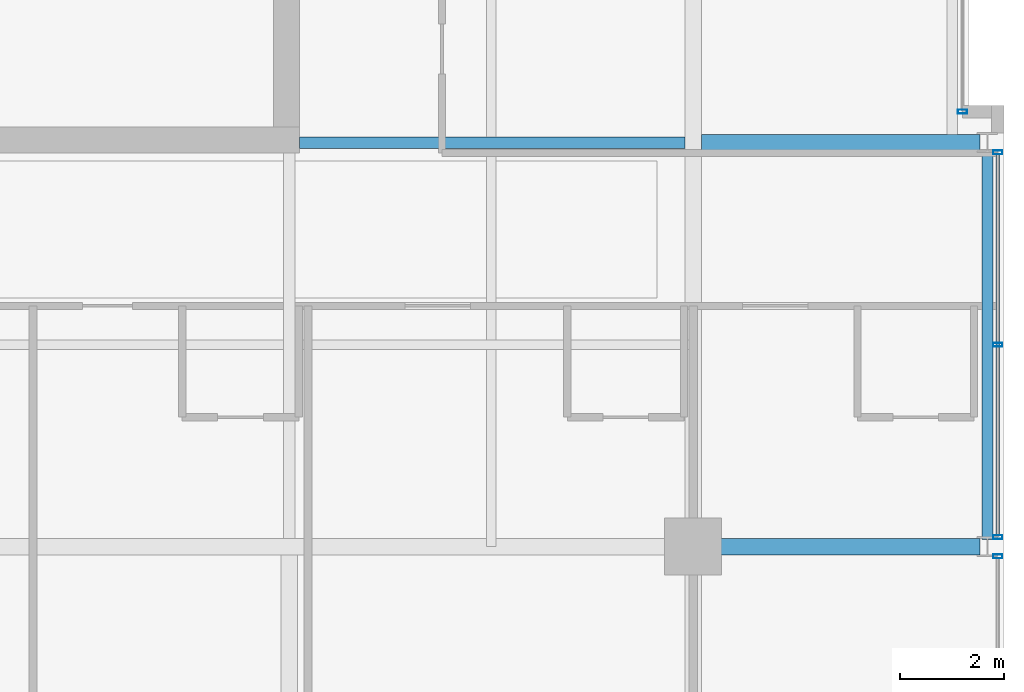
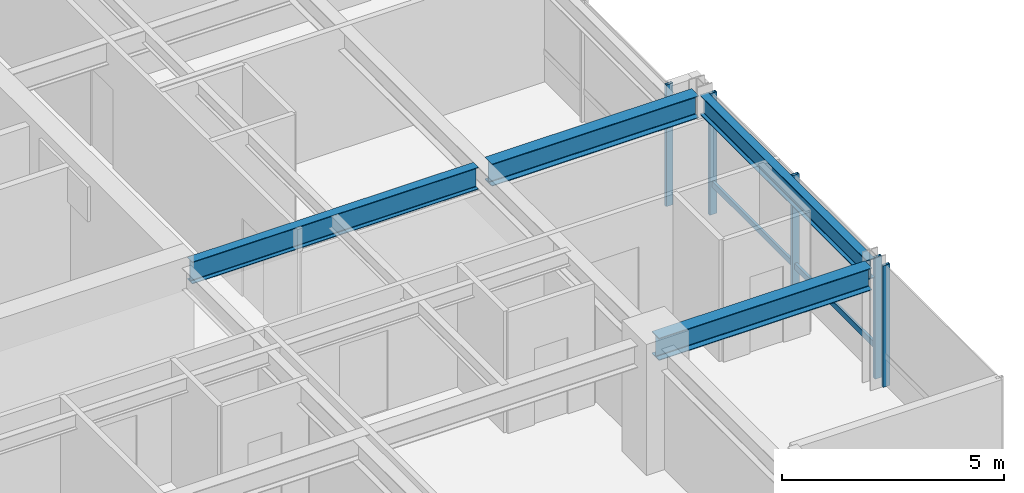
# One storey, part 13 of 32: 6 members, 4 beams, 3 elements without a shape of their own.
"""IFC4 building model written with IfcOpenShell, lengths in metres."""

from ifc_helpers import new_model, si_unit, direction, frame, origin, origin_2d, place, context, subcontext, project, spatial, hollow_rectangle, i_section, extrude, material, layer, layer_set, material_profile, profile_set, type_object, element, aggregate, save


model = new_model("IFC4")

# Units and contexts
model_context = context("Model", 3, precision=1e-05, world=origin(), true_north=direction((0.0, 1.0)))
body_context = subcontext(model_context, "Body", "Model", "MODEL_VIEW")
ifc_project = project(units=[si_unit("LENGTHUNIT", "METRE"), si_unit("AREAUNIT", "SQUARE_METRE"), si_unit("VOLUMEUNIT", "CUBIC_METRE"), si_unit("PLANEANGLEUNIT", "RADIAN"), si_unit("MASSUNIT", "GRAM", prefix="KILO")], contexts=[model_context])

# Site, building, storey
site_placement = place(None, origin())
site = spatial("IfcSite", under=ifc_project, at=site_placement, CompositionType="ELEMENT")
building_placement = place(site_placement, origin())
building = spatial("IfcBuilding", under=site, at=building_placement, Name="Drelvath Grand Hotel", CompositionType="ELEMENT")
storey_placement = place(building_placement, frame((0.0, 0.0, 226.699951171875)))
storey = spatial("IfcBuildingStorey", under=building, at=storey_placement, Name="L59", CompositionType="ELEMENT", Elevation=226.699951171875)

# Curtain wall, member
ifc_material_1 = material(Name="Platinum-Mist Anodised Aluminium Frame", Category="aluminium")
ifc_layer = layer(ifc_material_1, 0.199951171875)
ifc_layer_set = layer_set([ifc_layer], Name="Platinum-Mist Anodised Aluminium Frame")
curtain_wall_type = type_object("IfcCurtainWallType", Name="Stick Curtain Wall CW-05 Platinum Mist High-Rise", PredefinedType="NOTDEFINED", material=ifc_layer_set)
curtain_wall_1_placement = place(storey_placement, origin())
curtain_wall_1 = element("IfcCurtainWall", 1, at=curtain_wall_1_placement, inside=storey, type_object=curtain_wall_type, Name="L59 CW-05 Curtain Wall CW05-L59-ES2", PredefinedType="NOTDEFINED")
ifc_material_profile_1 = material_profile(ifc_material_1, hollow_rectangle(XDim=0.06494140625, YDim=0.159912109375, WallThickness=0.00390625, at=origin_2d()), Name="HSS160X65X4")
ifc_profile_set_1 = profile_set([ifc_material_profile_1], Name="Platinum-Mist Anodised Aluminium Frame")
member_type_1 = type_object("IfcMemberType", Name="Curtain Wall Horizontal Transom CW-05 HSS160X65X4", PredefinedType="USERDEFINED", material=ifc_profile_set_1)
member_1_placement = place(storey_placement, frame((22.080078125, 18.374755859375, 0.8349609375), z_axis=(0.0, -1.0, 0.0), x_axis=(1.0, 0.0, 0.0)))
member_1 = element("IfcMember", 2, at=member_1_placement, type_object=member_type_1, Name="CW05-L59-ES2 Sill Transom", ObjectType="TRANSOM", PredefinedType="USERDEFINED", context=body_context, shape_type="SweptSolid", body=[
    extrude(hollow_rectangle(XDim=0.06494140625, YDim=0.159912109375, WallThickness=0.00390625, at=origin_2d()), origin(), (0.0, 0.0, 1.0), 7.349365234375),
])

curtain_wall_2_placement = place(storey_placement, origin())
curtain_wall_2 = element("IfcCurtainWall", 3, at=curtain_wall_2_placement, inside=storey, type_object=curtain_wall_type, Name="L59 CW-05 Curtain Wall CW05-L59-EM1", PredefinedType="NOTDEFINED")
ifc_material_profile_2 = material_profile(ifc_material_1, hollow_rectangle(XDim=0.074951171875, YDim=0.179931640625, WallThickness=0.0048828125, at=origin_2d()), Name="HSS180X75X5")
ifc_profile_set_2 = profile_set([ifc_material_profile_2], Name="Platinum-Mist Anodised Aluminium Frame")
member_type_2 = type_object("IfcMemberType", Name="Curtain Wall Vertical Mullion CW-05 HSS180X75X5", PredefinedType="MULLION", material=ifc_profile_set_2)
member_2_placement = place(storey_placement, frame((21.39990234375, 19.199951171875, 0.0), z_axis=(0.0, 0.0, 1.0), x_axis=(0.0, 1.0, 0.0)))
member_2 = element("IfcMember", 4, at=member_2_placement, type_object=member_type_2, Name="CW05-L59-EM1 Mullion 3", PredefinedType="MULLION", context=body_context, shape_type="SweptSolid", body=[
    extrude(hollow_rectangle(XDim=0.074951171875, YDim=0.179931640625, WallThickness=0.0048828125, at=origin_2d()), origin(), (0.0, 0.0, 1.0), 3.340087890625),
])
aggregate(curtain_wall_2, [member_2])

curtain_wall_3_placement = place(storey_placement, origin())
curtain_wall_3 = element("IfcCurtainWall", 5, at=curtain_wall_3_placement, inside=storey, type_object=curtain_wall_type, Name="L59 CW-05 Curtain Wall CW05-L59-ES1", PredefinedType="NOTDEFINED")
member_3_placement = place(storey_placement, frame((22.080078125, 10.61474609375, 0.0), z_axis=(0.0, 0.0, 1.0), x_axis=(0.0, 1.0, 0.0)))
member_3 = element("IfcMember", 6, at=member_3_placement, type_object=member_type_2, Name="CW05-L59-ES1 Mullion 1", PredefinedType="MULLION", context=body_context, shape_type="SweptSolid", body=[
    extrude(hollow_rectangle(XDim=0.074951171875, YDim=0.179931640625, WallThickness=0.0048828125, at=origin_2d()), origin(), (0.0, 0.0, 1.0), 3.340087890625),
])
aggregate(curtain_wall_3, [member_3])

# Member
member_4_placement = place(storey_placement, frame((22.080078125, 18.414794921875, 0.0), z_axis=(0.0, 0.0, 1.0), x_axis=(0.0, 1.0, 0.0)))
member_4 = element("IfcMember", 7, at=member_4_placement, type_object=member_type_2, Name="CW05-L59-ES2 Mullion 1", PredefinedType="MULLION", context=body_context, shape_type="SweptSolid", body=[
    extrude(hollow_rectangle(XDim=0.074951171875, YDim=0.179931640625, WallThickness=0.0048828125, at=origin_2d()), origin(), (0.0, 0.0, 1.0), 3.340087890625),
])

member_5_placement = place(storey_placement, frame((22.080078125, 14.699951171875, 0.0), z_axis=(0.0, 0.0, 1.0), x_axis=(0.0, 1.0, 0.0)))
member_5 = element("IfcMember", 8, at=member_5_placement, type_object=member_type_2, Name="CW05-L59-ES2 Mullion 2", PredefinedType="MULLION", context=body_context, shape_type="SweptSolid", body=[
    extrude(hollow_rectangle(XDim=0.074951171875, YDim=0.179931640625, WallThickness=0.0048828125, at=origin_2d()), origin(), (0.0, 0.0, 1.0), 3.340087890625),
])

member_6_placement = place(storey_placement, frame((22.080078125, 10.9853515625, 0.0), z_axis=(0.0, 0.0, 1.0), x_axis=(0.0, 1.0, 0.0)))
member_6 = element("IfcMember", 9, at=member_6_placement, type_object=member_type_2, Name="CW05-L59-ES2 Mullion 3", PredefinedType="MULLION", context=body_context, shape_type="SweptSolid", body=[
    extrude(hollow_rectangle(XDim=0.074951171875, YDim=0.179931640625, WallThickness=0.0048828125, at=origin_2d()), origin(), (0.0, 0.0, 1.0), 3.340087890625),
])

aggregate(curtain_wall_1, [member_4, member_5, member_6, member_1])

# Beams
ifc_material_2 = material(Name="Steel ASTM A992 Gr 50", Category="steel")
ifc_material_profile_3 = material_profile(ifc_material_2, i_section(OverallWidth=0.210205078125, OverallDepth=0.53662109375, WebThickness=0.010986328125, FlangeThickness=0.017333984375, FilletRadius=0.01806640625, at=origin_2d()), Name="W21X68")
ifc_profile_set_3 = profile_set([ifc_material_profile_3], Name="Steel ASTM A992 Gr 50")
beam_type_1 = type_object("IfcBeamType", Name="Perimeter Spandrel Beam W21X68", PredefinedType="SPANDREL", material=ifc_profile_set_3)
beam_1_placement = place(storey_placement, frame((21.8798828125, 10.93994140625, 3.071533203125), z_axis=(0.0, 1.0, 0.0), x_axis=(-1.0, 0.0, 0.0)))
element("IfcBeam", 10, at=beam_1_placement, inside=storey, type_object=beam_type_1, Name="L59 Spandrel East S", PredefinedType="SPANDREL", context=body_context, shape_type="SweptSolid", body=[
    extrude(i_section(OverallWidth=0.210205078125, OverallDepth=0.53662109375, WebThickness=0.010986328125, FlangeThickness=0.017333984375, FilletRadius=0.01806640625, at=origin_2d()), origin(), (0.0, 0.0, 1.0), 7.52001953125),
])
ifc_material_profile_4 = material_profile(ifc_material_2, i_section(OverallWidth=0.323974609375, OverallDepth=0.611083984375, WebThickness=0.0126953125, FlangeThickness=0.01904296875, FilletRadius=0.02197265625, at=origin_2d()), Name="W24X104")
ifc_profile_set_4 = profile_set([ifc_material_profile_4], Name="Steel ASTM A992 Gr 50")
beam_type_2 = type_object("IfcBeamType", Name="Primary Floor Girder W24X104", PredefinedType="BEAM", material=ifc_profile_set_4)
beam_2_placement = place(storey_placement, frame((16.199951171875, 10.800048828125, 3.034423828125), z_axis=(1.0, 0.0, 0.0), x_axis=(0.0, 1.0, 0.0)))
element("IfcBeam", 11, at=beam_2_placement, inside=storey, type_object=beam_type_2, Name="L59 East Grid Girder C", PredefinedType="BEAM", context=body_context, shape_type="SweptSolid", body=[
    extrude(i_section(OverallWidth=0.323974609375, OverallDepth=0.611083984375, WebThickness=0.0126953125, FlangeThickness=0.01904296875, FilletRadius=0.02197265625, at=origin_2d()), origin(), (0.0, 0.0, 1.0), 5.5400390625),
])
beam_3_placement = place(storey_placement, frame((16.362060546875, 18.60009765625, 3.034423828125), z_axis=(1.0, 0.0, 0.0), x_axis=(0.0, 1.0, 0.0)))
element("IfcBeam", 12, at=beam_3_placement, inside=storey, type_object=beam_type_2, Name="L59 East Wing Girder D", PredefinedType="BEAM", context=body_context, shape_type="SweptSolid", body=[
    extrude(i_section(OverallWidth=0.323974609375, OverallDepth=0.611083984375, WebThickness=0.0126953125, FlangeThickness=0.01904296875, FilletRadius=0.02197265625, at=origin_2d()), origin(), (0.0, 0.0, 1.0), 5.3779296875),
])
ifc_material_profile_5 = material_profile(ifc_material_2, i_section(OverallWidth=0.228271484375, OverallDepth=0.607666015625, WebThickness=0.01123046875, FlangeThickness=0.017333984375, FilletRadius=0.02001953125, at=origin_2d()), Name="W24X76")
ifc_profile_set_5 = profile_set([ifc_material_profile_5], Name="Steel ASTM A992 Gr 50")
beam_type_3 = type_object("IfcBeamType", Name="Primary Floor Girder W24X76", PredefinedType="BEAM", material=ifc_profile_set_5)
beam_4_placement = place(storey_placement, frame((8.60009765625, 18.60009765625, 3.0361328125), z_axis=(1.0, 0.0, 0.0), x_axis=(0.0, 1.0, 0.0)))
element("IfcBeam", 13, at=beam_4_placement, inside=storey, type_object=beam_type_3, Name="L59 East Core Tie D", PredefinedType="BEAM", context=body_context, shape_type="SweptSolid", body=[
    extrude(i_section(OverallWidth=0.228271484375, OverallDepth=0.607666015625, WebThickness=0.01123046875, FlangeThickness=0.017333984375, FilletRadius=0.02001953125, at=origin_2d()), origin(), (0.0, 0.0, 1.0), 7.43798828125),
])

save(model, "model.ifc")
